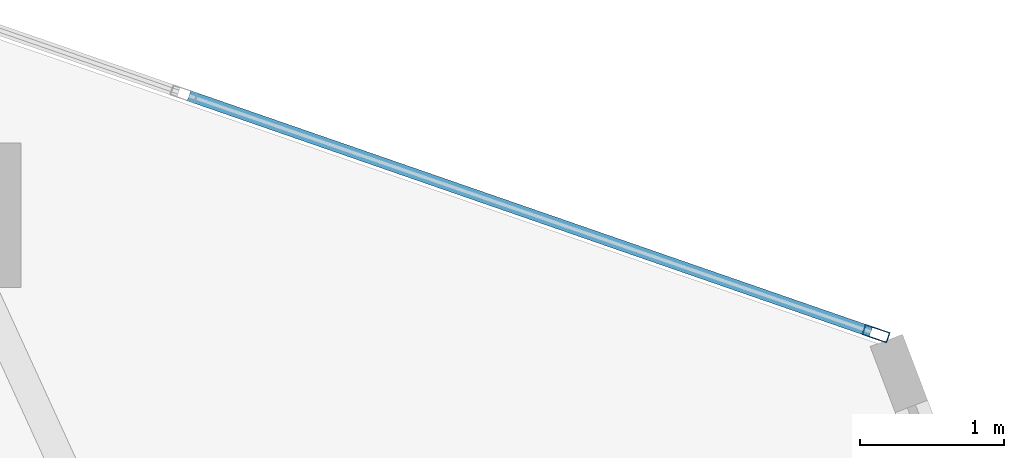
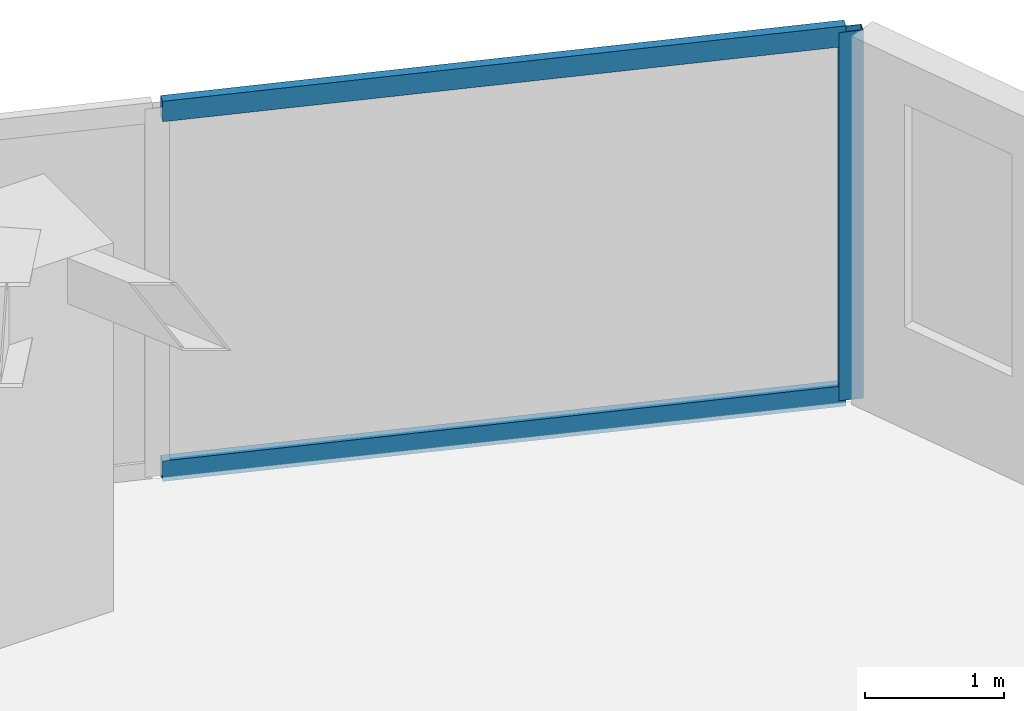
# One storey, part 14 of 19: 3 members, 1 element without a shape of its own.
"""IFC4 building model written with IfcOpenShell, lengths in metres."""

from ifc_helpers import new_model, si_unit, direction, frame, origin, origin_2d, place, context, subcontext, project, spatial, hollow_rectangle, extrude, source, transform, mapped, material, layer, layer_set, material_profile, profile_set, type_object, type_shapes, element, aggregate, save


model = new_model("IFC4")

# Units and contexts
model_context = context("Model", 3, precision=1e-05, world=origin(), true_north=direction((0.0, 1.0)))
body_context = subcontext(model_context, "Body", "Model", "MODEL_VIEW")
ifc_project = project(units=[si_unit("LENGTHUNIT", "METRE"), si_unit("AREAUNIT", "SQUARE_METRE"), si_unit("VOLUMEUNIT", "CUBIC_METRE"), si_unit("PLANEANGLEUNIT", "RADIAN"), si_unit("MASSUNIT", "GRAM", prefix="KILO")], contexts=[model_context])

# Site, building, storey
site_placement = place(None, origin())
site = spatial("IfcSite", under=ifc_project, at=site_placement, CompositionType="ELEMENT")
building_placement = place(site_placement, origin())
building = spatial("IfcBuilding", under=site, at=building_placement, Name="Talar Marvaseh", CompositionType="ELEMENT")
storey_placement = place(building_placement, frame((0.0, 0.0, 177.5)))
storey = spatial("IfcBuildingStorey", under=building, at=storey_placement, Name="L46", CompositionType="ELEMENT", Elevation=177.5)

# Curtain wall, members
ifc_material = material(Name="Architectural Aluminium", Category="aluminium")
ifc_layer = layer(ifc_material, 0.18994140625)
ifc_layer_set = layer_set([ifc_layer], Name="Architectural Aluminium")
curtain_wall_type = type_object("IfcCurtainWallType", Name="Unitised Solar Atelier Curtain Wall Z3", PredefinedType="NOTDEFINED", material=ifc_layer_set)
curtain_wall_placement = place(storey_placement, origin())
curtain_wall = element("IfcCurtainWall", 1, at=curtain_wall_placement, inside=storey, type_object=curtain_wall_type, Name="L46 Unitised Solar Atelier Curtain Wall Z3", PredefinedType="NOTDEFINED")
ifc_material_profile_1 = material_profile(ifc_material, hollow_rectangle(XDim=0.074951171875, YDim=0.179931640625, WallThickness=0.0048828125, at=origin_2d()), Name="RHS180x75x5")
ifc_profile_set_1 = profile_set([ifc_material_profile_1], Name="Architectural Aluminium")
member_type_1 = type_object("IfcMemberType", Name="Unitised Curtain Wall Standard Mullion RHS180x75x5", PredefinedType="MULLION", material=ifc_profile_set_1)
shared_shape_1 = source(origin(), body_context, "Body", "SweptSolid", [
    extrude(hollow_rectangle(XDim=0.074951171875, YDim=0.179931640625, WallThickness=0.0048828125, at=origin_2d()), origin(), (0.0, 0.0, 1.0), 3.22998046875),
])
type_shapes(member_type_1, [shared_shape_1])
member_1_placement = place(storey_placement, frame((42.767333984375, 40.120849609375, 0.0), z_axis=(0.0, 0.0, 1.0), x_axis=(0.327157137174, 0.944969950631, 0.0)))
member_1 = element("IfcMember", 2, at=member_1_placement, type_object=member_type_1, Name="CW-Z3 mullion 4", PredefinedType="MULLION", context=body_context, shape_type="MappedRepresentation", body=[
    mapped(shared_shape_1, transform((0.0, 0.0, 0.0), x_axis=(1.0, 0.0, 0.0), y_axis=(0.0, 1.0, 0.0), z_axis=(0.0, 0.0, 1.0), scale=1.0)),
])
ifc_material_profile_2 = material_profile(ifc_material, hollow_rectangle(XDim=0.074951171875, YDim=0.179931640625, WallThickness=0.0048828125, at=origin_2d()), Name="RHS180x75x5")
ifc_profile_set_2 = profile_set([ifc_material_profile_2], Name="Architectural Aluminium")
member_type_2 = type_object("IfcMemberType", Name="Unitised Curtain Wall Transom RHS180x75x5", PredefinedType="USERDEFINED", material=ifc_profile_set_2)
shared_shape_2 = source(origin(), body_context, "Body", "SweptSolid", [
    extrude(hollow_rectangle(XDim=0.074951171875, YDim=0.179931640625, WallThickness=0.0048828125, at=origin_2d()), origin(), (0.0, 0.0, 1.0), 5.000732421875),
])
type_shapes(member_type_2, [shared_shape_2])
member_2_placement = place(storey_placement, frame((38.00634765625, 41.76904296875, 0.03759765625), z_axis=(0.94497330324, -0.327147453245, 0.0), x_axis=(0.327147453245, 0.94497330324, 0.0)))
member_2 = element("IfcMember", 3, at=member_2_placement, type_object=member_type_2, Name="CW-Z3 transom 3.1", ObjectType="TRANSOM", PredefinedType="USERDEFINED", context=body_context, shape_type="MappedRepresentation", body=[
    mapped(shared_shape_2, transform((0.0, 0.0, 0.0), x_axis=(1.0, 0.0, 0.0), y_axis=(0.0, 1.0, 0.0), z_axis=(0.0, 0.0, 1.0), scale=1.0)),
])
member_3_placement = place(storey_placement, frame((38.00634765625, 41.76904296875, 3.1923828125), z_axis=(0.94497330324, -0.327147453245, 0.0), x_axis=(0.327147453245, 0.94497330324, 0.0)))
member_3 = element("IfcMember", 4, at=member_3_placement, type_object=member_type_2, Name="CW-Z3 transom 3.2", ObjectType="TRANSOM", PredefinedType="USERDEFINED", context=body_context, shape_type="MappedRepresentation", body=[
    mapped(shared_shape_2, transform((0.0, 0.0, 0.0), x_axis=(1.0, 0.0, 0.0), y_axis=(0.0, 1.0, 0.0), z_axis=(0.0, 0.0, 1.0), scale=1.0)),
])
aggregate(curtain_wall, [member_1, member_2, member_3])

save(model, "model.ifc")
